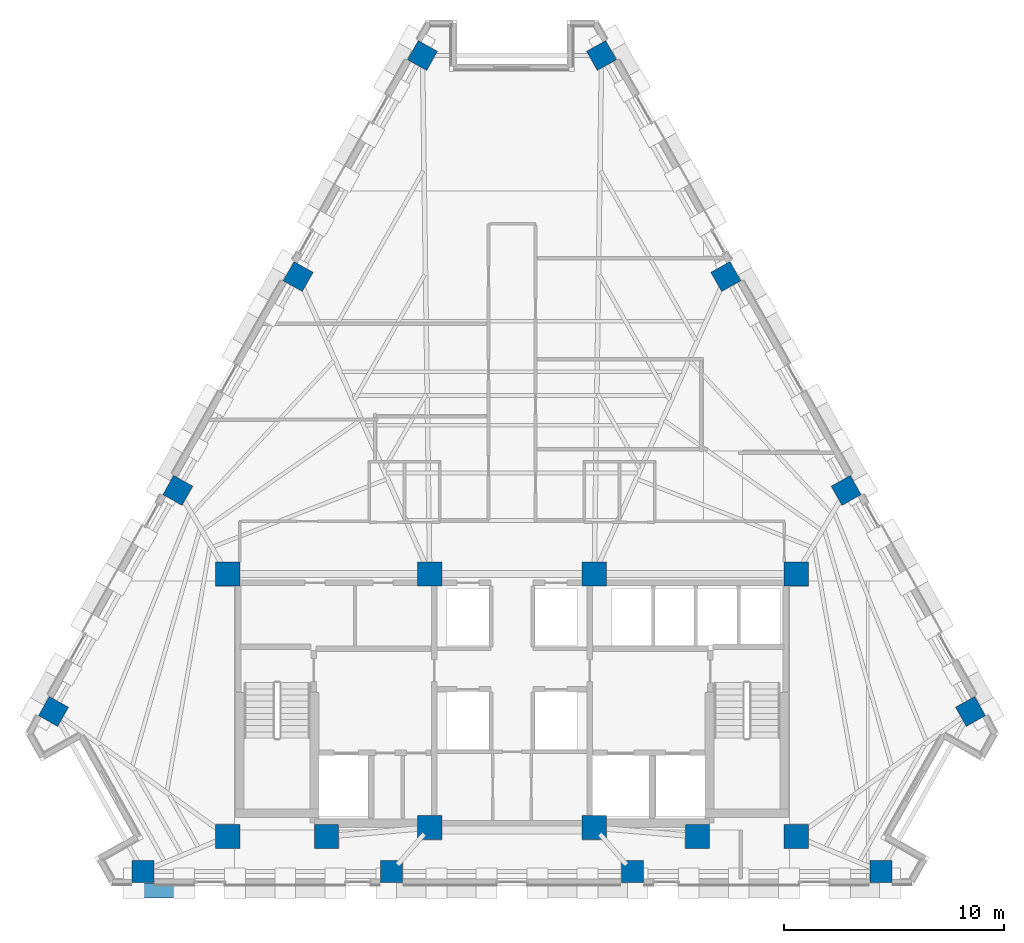
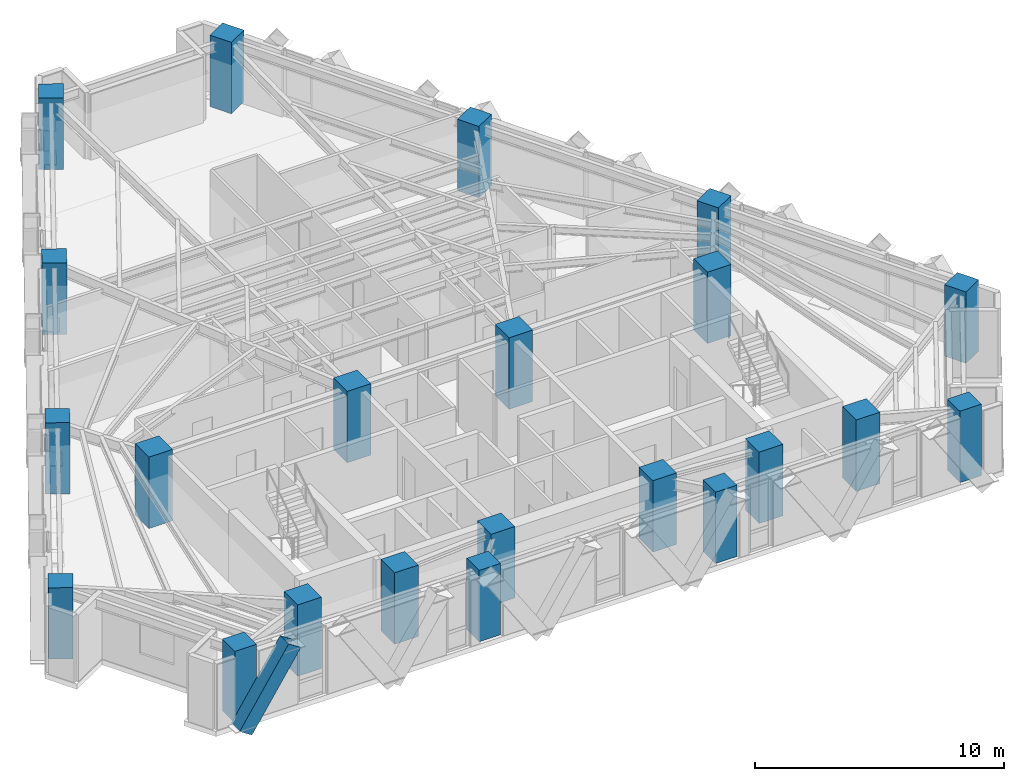
# One storey, part 1 of 14: 22 columns, 1 member.
"""IFC4 building model written with IfcOpenShell, lengths in metres."""

from ifc_helpers import new_model, si_unit, direction, frame, origin, origin_2d, place, context, subcontext, project, spatial, rectangle, hollow_rectangle, extrude, material, material_profile, profile_set, type_object, element, save


model = new_model("IFC4")

# Units and contexts
model_context = context("Model", 3, precision=1e-05, world=origin(), true_north=direction((0.0, 1.0)))
body_context = subcontext(model_context, "Body", "Model", "MODEL_VIEW")
ifc_project = project(units=[si_unit("LENGTHUNIT", "METRE"), si_unit("AREAUNIT", "SQUARE_METRE"), si_unit("VOLUMEUNIT", "CUBIC_METRE"), si_unit("PLANEANGLEUNIT", "RADIAN"), si_unit("MASSUNIT", "GRAM", prefix="KILO")], contexts=[model_context])

# Site, building, storey
site_placement = place(None, origin())
site = spatial("IfcSite", under=ifc_project, at=site_placement, CompositionType="ELEMENT")
building_placement = place(site_placement, origin())
building = spatial("IfcBuilding", under=site, at=building_placement, Name="Quenlor Broadcast Tower", CompositionType="ELEMENT")
storey_placement = place(building_placement, frame((0.0, 0.0, 140.5)))
storey = spatial("IfcBuildingStorey", under=building, at=storey_placement, Name="L38", CompositionType="ELEMENT", Elevation=140.5)

# Columns
ifc_material_1 = material(Name="Concrete C65/80", Category="concrete")
ifc_material_profile_1 = material_profile(ifc_material_1, rectangle(XDim=1.10009765625, YDim=1.10009765625, at=origin_2d()))
ifc_profile_set_1 = profile_set([ifc_material_profile_1], Name="Concrete C65/80 RC1100x1100")
column_type_1 = type_object("IfcColumnType", Name="Core Corner Column Mid Concrete C65/80 1100", PredefinedType="COLUMN", material=ifc_profile_set_1)
for number, where, z_axis, x_axis, name in (
    (1, (-12.949951171875, -16.75, 0.0), (0.0, 0.0, 1.0), (1.0, 0.0, 0.0), "L38 Core Column CC1"),
    (2, (-8.449951171875, -16.75, 0.0), (0.0, 0.0, 1.0), (1.0, 0.0, 0.0), "L38 Core Column CC2"),
    (3, (-3.75, -16.35009765625, 0.0), (0.0, 0.0, 1.0), (1.0, 0.0, 0.0), "L38 Core Column CC3"),
    (4, (3.75, -16.35009765625, 0.0), (0.0, 0.0, 1.0), (1.0, 0.0, 0.0), "L38 Core Column CC4"),
    (5, (8.449951171875, -16.75, 0.0), (0.0, 0.0, 1.0), (1.0, 0.0, 0.0), "L38 Core Column CC5"),
    (6, (12.949951171875, -16.75, 0.0), (0.0, 0.0, 1.0), (1.0, 0.0, 0.0), "L38 Core Column CC6"),
    (7, (-12.949951171875, -4.800048828125, 0.0), (0.0, 0.0, 1.0), (1.0, 0.0, 0.0), "L38 Core Column CC7"),
    (8, (-3.75, -4.800048828125, 0.0), (0.0, 0.0, 1.0), (1.0, 0.0, 0.0), "L38 Core Column CC8"),
    (9, (3.75, -4.800048828125, 0.0), (0.0, 0.0, 1.0), (1.0, 0.0, 0.0), "L38 Core Column CC9"),
    (10, (12.949951171875, -4.800048828125, 0.0), (0.0, 0.0, 1.0), (1.0, 0.0, 0.0), "L38 Core Column CC10"),
):
    element("IfcColumn", number, at=place(storey_placement, frame(where, z_axis=z_axis, x_axis=x_axis)), inside=storey, type_object=column_type_1, Name=name, PredefinedType="COLUMN", context=body_context, shape_type="SweptSolid", body=[
        extrude(rectangle(XDim=1.10009765625, YDim=1.10009765625, at=origin_2d()), origin(), (0.0, 0.0, 1.0), 3.5),
    ])
ifc_material_2 = material(Name="Concrete C50/60", Category="concrete")
ifc_material_profile_2 = material_profile(ifc_material_2, rectangle(XDim=1.0, YDim=1.0, at=origin_2d()))
ifc_profile_set_2 = profile_set([ifc_material_profile_2], Name="Concrete C50/60 RC1000x1000")
column_type_2 = type_object("IfcColumnType", Name="Tower Perimeter Column Z3 Concrete C50/60 1000", PredefinedType="COLUMN", material=ifc_profile_set_2)
for number, where, z_axis, x_axis, name in (
    (11, (-16.808349609375, -18.35009765625, 0.0), (0.0, 0.0, 1.0), (0.0, 1.0, 0.0), "L38 Perimeter Column S1"),
    (12, (-5.48095703125, -18.35009765625, 0.0), (0.0, 0.0, 1.0), (0.0, 1.0, 0.0), "L38 Perimeter Column S2"),
    (13, (5.48095703125, -18.35009765625, 0.0), (0.0, 0.0, 1.0), (0.0, 1.0, 0.0), "L38 Perimeter Column S3"),
    (14, (16.808349609375, -18.35009765625, 0.0), (0.0, 0.0, 1.0), (0.0, 1.0, 0.0), "L38 Perimeter Column S4"),
    (15, (20.8876953125, -11.0595703125, 0.0), (0.0, 0.0, 1.0), (0.871575139605, 0.490261946333, 0.0), "L38 Perimeter Column NE1"),
    (16, (15.22412109375, -0.99072265625, 0.0), (0.0, 0.0, 1.0), (0.871575139605, 0.490261946333, 0.0), "L38 Perimeter Column NE2"),
    (17, (9.742919921875, 8.75341796875, 0.0), (0.0, 0.0, 1.0), (0.871575139605, 0.490261946333, 0.0), "L38 Perimeter Column NE3"),
    (18, (4.079345703125, 18.822021484375, 0.0), (0.0, 0.0, 1.0), (0.871575139605, 0.490261946333, 0.0), "L38 Perimeter Column NE4"),
    (19, (-4.079345703125, 18.822021484375, 0.0), (0.0, 0.0, 1.0), (-0.871575139605, 0.490261946333, 0.0), "L38 Perimeter Column NW1"),
    (20, (-9.742919921875, 8.75341796875, 0.0), (0.0, 0.0, 1.0), (-0.871575139605, 0.490261946333, 0.0), "L38 Perimeter Column NW2"),
    (21, (-15.22412109375, -0.99072265625, 0.0), (0.0, 0.0, 1.0), (-0.871575139605, 0.490261946333, 0.0), "L38 Perimeter Column NW3"),
    (22, (-20.8876953125, -11.0595703125, 0.0), (0.0, 0.0, 1.0), (-0.871575139605, 0.490261946333, 0.0), "L38 Perimeter Column NW4"),
):
    element("IfcColumn", number, at=place(storey_placement, frame(where, z_axis=z_axis, x_axis=x_axis)), inside=storey, type_object=column_type_2, Name=name, PredefinedType="COLUMN", context=body_context, shape_type="SweptSolid", body=[
        extrude(rectangle(XDim=1.0, YDim=1.0, at=origin_2d()), origin(), (0.0, 0.0, 1.0), 3.5),
    ])

# Member
ifc_material_3 = material(Name="Steel S355", Category="steel")
ifc_material_profile_3 = material_profile(ifc_material_3, hollow_rectangle(XDim=0.679931640625, YDim=0.679931640625, WallThickness=0.02490234375, at=origin_2d()))
ifc_profile_set_3 = profile_set([ifc_material_profile_3], Name="Steel S355 RHS680x680x25")
member_type = type_object("IfcMemberType", Name="Perimeter Diagonal Lattice Brace Z3-Z4 Steel S355 RHS680x25", PredefinedType="BRACE", material=ifc_profile_set_3)
member_placement = place(storey_placement, frame((-17.206298828125, -19.219970703125, -0.1201171875), z_axis=(0.543901560697, 0.0, 0.839149028643), x_axis=(0.0, 1.0, 0.0)))
element("IfcMember", 23, at=member_placement, inside=storey, type_object=member_type, Name="L38 Perimeter Diamond Lattice S-C5B", PredefinedType="BRACE", context=body_context, shape_type="SweptSolid", body=[
    extrude(hollow_rectangle(XDim=0.679931640625, YDim=0.679931640625, WallThickness=0.02490234375, at=origin_2d()), origin(), (0.0, 0.0, 1.0), 4.1708984375),
])

save(model, "model.ifc")
